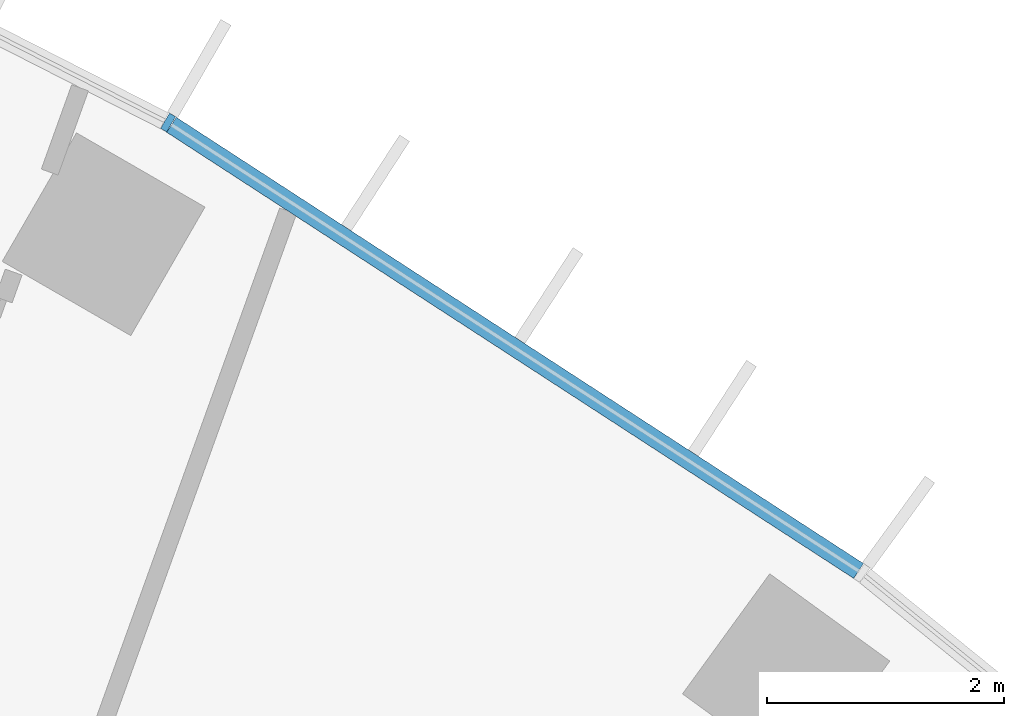
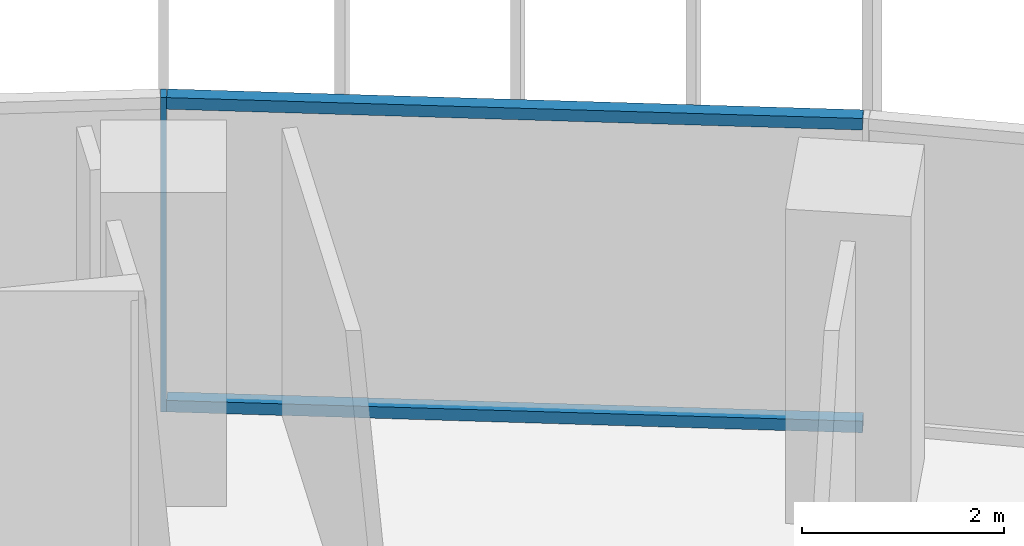
# One storey, part 13 of 24: 3 members, 1 element without a shape of its own.
"""IFC4 building model written with IfcOpenShell, lengths in metres."""

from ifc_helpers import new_model, si_unit, direction, frame, origin, origin_2d, place, context, subcontext, project, spatial, rectangle, extrude, material, layer, layer_set, material_profile, profile_set, type_object, element, aggregate, save


model = new_model("IFC4")

# Units and contexts
model_context = context("Model", 3, precision=1e-05, world=origin(), true_north=direction((0.0, 1.0)))
body_context = subcontext(model_context, "Body", "Model", "MODEL_VIEW")
ifc_project = project(units=[si_unit("LENGTHUNIT", "METRE"), si_unit("AREAUNIT", "SQUARE_METRE"), si_unit("VOLUMEUNIT", "CUBIC_METRE"), si_unit("PLANEANGLEUNIT", "RADIAN"), si_unit("MASSUNIT", "GRAM", prefix="KILO")], contexts=[model_context])

# Site, building, storey
site_placement = place(None, origin())
site = spatial("IfcSite", under=ifc_project, at=site_placement, CompositionType="ELEMENT")
building_placement = place(site_placement, origin())
building = spatial("IfcBuilding", under=site, at=building_placement, Name="Stone Belt Terrace Tower", CompositionType="ELEMENT")
storey_placement = place(building_placement, frame((0.0, 0.0, 41.39990234375)))
storey = spatial("IfcBuildingStorey", under=building, at=storey_placement, Name="L09", CompositionType="ELEMENT", Elevation=41.39990234375)

# Curtain wall, members
ifc_material = material(Name="Aluminium 6063-T6 anodised frame", Category="aluminium")
ifc_layer = layer(ifc_material, 0.14990234375)
ifc_layer_set = layer_set([ifc_layer], Name="CW-A unitised convex-face curtain wall")
curtain_wall_type = type_object("IfcCurtainWallType", Name="CW-A unitised convex-face curtain wall", PredefinedType="NOTDEFINED", material=ifc_layer_set)
curtain_wall_placement = place(storey_placement, origin())
curtain_wall = element("IfcCurtainWall", 1, at=curtain_wall_placement, inside=storey, type_object=curtain_wall_type, Name="CW-A convex face L09", PredefinedType="NOTDEFINED")
ifc_material_profile_1 = material_profile(ifc_material, rectangle(XDim=0.14990234375, YDim=0.06005859375, at=origin_2d()), Name="Aluminium 6063-T6 60x150")
ifc_profile_set_1 = profile_set([ifc_material_profile_1], Name="Aluminium 6063-T6 anodised frame")
member_type_1 = type_object("IfcMemberType", Name="CW-A mullion 60 x 150", PredefinedType="MULLION", material=ifc_profile_set_1)
member_1_placement = place(storey_placement, frame((33.28759765625, 57.65576171875, 0.0), z_axis=(0.0, 0.0, 1.0), x_axis=(-0.5, -0.866025403784, 0.0)))
member_1 = element("IfcMember", 2, at=member_1_placement, type_object=member_type_1, Name="CW-A mullion 5", PredefinedType="MULLION", context=body_context, shape_type="SweptSolid", body=[
    extrude(rectangle(XDim=0.14990234375, YDim=0.06005859375, at=origin_2d()), origin(), (0.0, 0.0, 1.0), 3.800048828125),
])
ifc_material_profile_2 = material_profile(ifc_material, rectangle(XDim=0.14990234375, YDim=0.139892578125, at=origin_2d()), Name="Aluminium 6063-T6 150x140")
ifc_profile_set_2 = profile_set([ifc_material_profile_2], Name="Aluminium 6063-T6 anodised frame")
member_type_2 = type_object("IfcMemberType", Name="CW-A transom 140 x 150", PredefinedType="USERDEFINED", material=ifc_profile_set_2)
member_2_placement = place(storey_placement, frame((39.103515625, 53.87890625, 0.070068359375), z_axis=(-0.83868440714, 0.544617723931, 0.0), x_axis=(-0.544617723931, -0.83868440714, 0.0)))
member_2 = element("IfcMember", 3, at=member_2_placement, type_object=member_type_2, Name="CW-A transom 4.1", ObjectType="TRANSOM", PredefinedType="USERDEFINED", context=body_context, shape_type="SweptSolid", body=[
    extrude(rectangle(XDim=0.14990234375, YDim=0.139892578125, at=origin_2d()), origin(), (0.0, 0.0, 1.0), 6.90087890625),
])
member_3_placement = place(storey_placement, frame((39.103515625, 53.87890625, 3.72998046875), z_axis=(-0.83868440714, 0.544617723931, 0.0), x_axis=(-0.544617723931, -0.83868440714, 0.0)))
member_3 = element("IfcMember", 4, at=member_3_placement, type_object=member_type_2, Name="CW-A transom 4.2", ObjectType="TRANSOM", PredefinedType="USERDEFINED", context=body_context, shape_type="SweptSolid", body=[
    extrude(rectangle(XDim=0.14990234375, YDim=0.139892578125, at=origin_2d()), origin(), (0.0, 0.0, 1.0), 6.90087890625),
])
aggregate(curtain_wall, [member_1, member_2, member_3])

save(model, "model.ifc")
